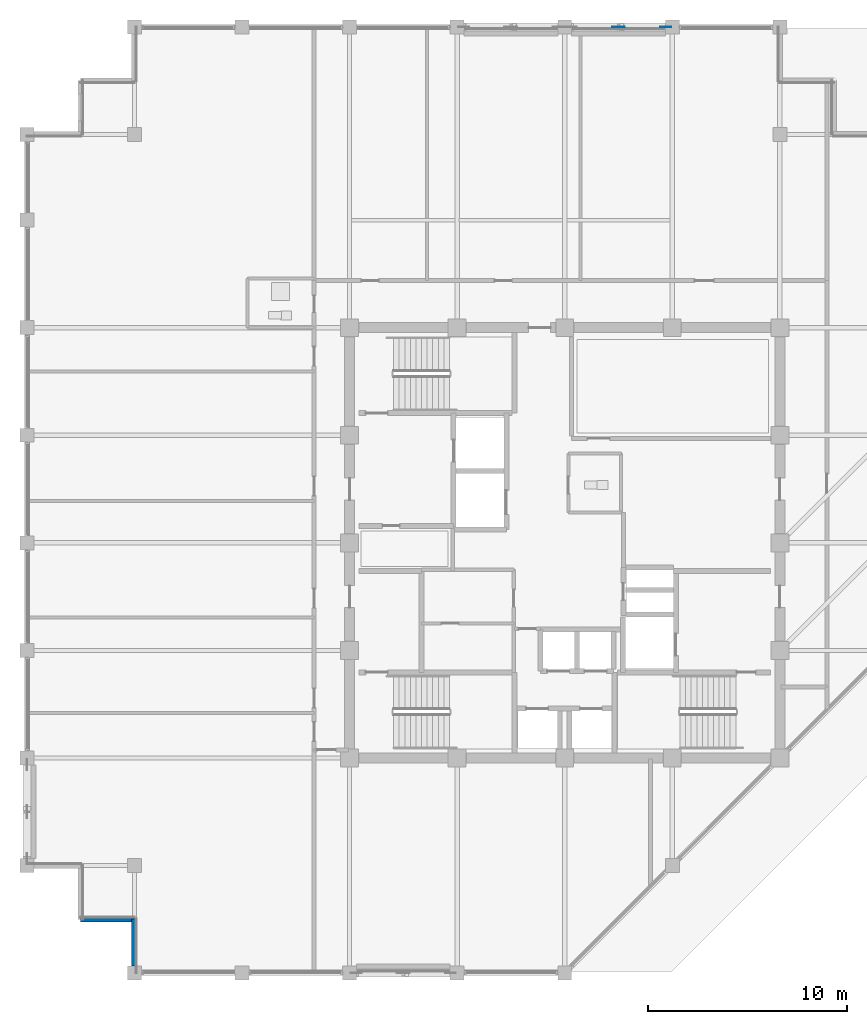
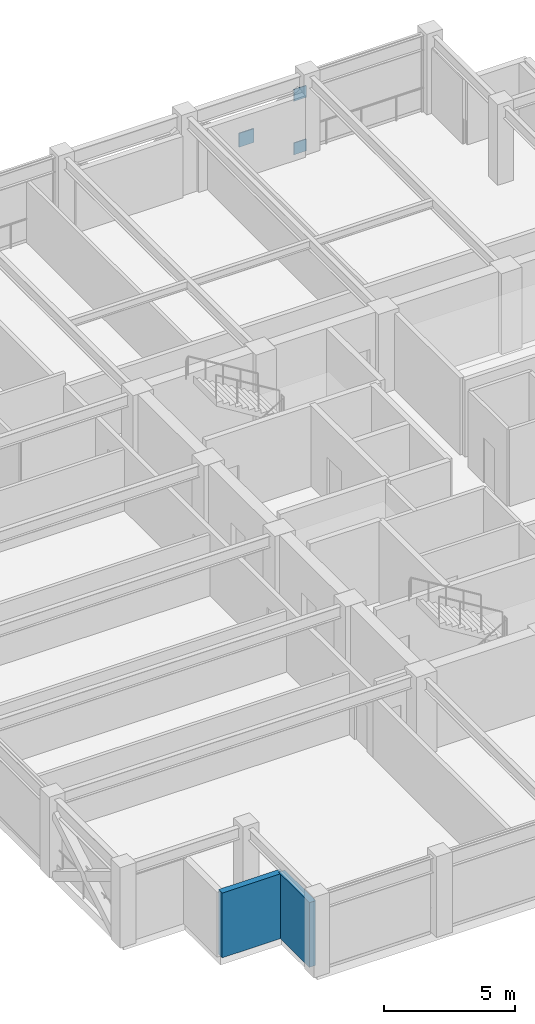
# One storey, part 25 of 34: 3 plates, 2 walls.
"""IFC4 building model written with IfcOpenShell, lengths in metres."""

from ifc_helpers import new_model, si_unit, direction, frame, frame_2d, origin, origin_2d, place, context, subcontext, project, spatial, rectangle, extrude, material, layer, layer_set, type_object, element, save


model = new_model("IFC4")

# Units and contexts
model_context = context("Model", 3, precision=1e-05, world=origin(), true_north=direction((0.0, 1.0)))
body_context = subcontext(model_context, "Body", "Model", "MODEL_VIEW")
ifc_project = project(units=[si_unit("LENGTHUNIT", "METRE"), si_unit("AREAUNIT", "SQUARE_METRE"), si_unit("VOLUMEUNIT", "CUBIC_METRE"), si_unit("PLANEANGLEUNIT", "RADIAN"), si_unit("MASSUNIT", "GRAM", prefix="KILO")], contexts=[model_context])

# Site, building, storey
site_placement = place(None, origin())
site = spatial("IfcSite", under=ifc_project, at=site_placement, CompositionType="ELEMENT")
building_placement = place(site_placement, origin())
building = spatial("IfcBuilding", under=site, at=building_placement, Name="Surkhivell Harbour Commons", CompositionType="ELEMENT")
storey_placement = place(building_placement, frame((0.0, 0.0, 258.75)))
storey = spatial("IfcBuildingStorey", under=building, at=storey_placement, Name="L67", CompositionType="ELEMENT", Elevation=258.75)

# Plates
ifc_material_1 = material(Name="Steel S460", Category="steel")
ifc_layer_1 = layer(ifc_material_1, 0.035888671875)
ifc_layer_set_1 = layer_set([ifc_layer_1], Name="Steel S460")
plate_type_1 = type_object("IfcPlateType", Name="PLT-GUS-550", PredefinedType="USERDEFINED", material=ifc_layer_set_1)
for number, where, z_axis, x_axis, name in (
    (1, (5.06494140625, 25.89990234375, -0.07470703125), (0.0, 0.0, 1.0), (1.0, 0.0, 0.0), "L67 Perimeter Mega-Brace MB- Corner Gusset N2-2"),
    (2, (5.06494140625, 25.89990234375, 2.41357421875), (0.0, 0.0, 1.0), (1.0, 0.0, 0.0), "L67 Perimeter Mega-Brace MB- Corner Gusset N2-4"),
):
    element("IfcPlate", number, at=place(storey_placement, frame(where, z_axis=z_axis, x_axis=x_axis)), inside=storey, type_object=plate_type_1, Name=name, ObjectType="GUSSET_PLATE", PredefinedType="USERDEFINED", context=body_context, shape_type="SweptSolid", body=[
        extrude(rectangle(XDim=0.550048828125, YDim=0.035888671875, at=origin_2d()), origin(), (0.0, 0.0, 1.0), 0.550048828125),
    ])
ifc_layer_2 = layer(ifc_material_1, 0.044921875)
ifc_layer_set_2 = layer_set([ifc_layer_2], Name="Steel S460")
plate_type_2 = type_object("IfcPlateType", Name="PLT-GUS-650", PredefinedType="USERDEFINED", material=ifc_layer_set_2)
plate_placement = place(storey_placement, frame((2.699951171875, 25.89990234375, 1.11962890625), z_axis=(0.0, 0.0, 1.0), x_axis=(1.0, 0.0, 0.0)))
element("IfcPlate", 3, at=plate_placement, inside=storey, type_object=plate_type_2, Name="L67 Perimeter Mega-Brace MB- Central Crossing Gusset N2", ObjectType="GUSSET_PLATE", PredefinedType="USERDEFINED", context=body_context, shape_type="SweptSolid", body=[
    extrude(rectangle(XDim=0.64990234375, YDim=0.044921875, at=origin_2d()), origin(), (0.0, 0.0, 1.0), 0.64990234375),
])

# Walls
ifc_material_2 = material(Name="Terracotta-clad reinforced concrete C45/55", Category="masonry")
ifc_layer_3 = layer(ifc_material_2, 0.280029296875)
ifc_layer_set_3 = layer_set([ifc_layer_3], Name="Terracotta-clad reinforced concrete C45/55")
wall_type = type_object("IfcWallType", Name="WAL-EXT-TER280", PredefinedType="STANDARD", material=ifc_layer_set_3)
wall_1_placement = place(storey_placement, frame((-24.300048828125, -18.89990234375, 0.0), z_axis=(0.0, 0.0, 1.0), x_axis=(1.0, 0.0, 0.0)))
element("IfcWall", 4, at=wall_1_placement, inside=storey, type_object=wall_type, Name="L67 Serrated Corner Facade Wall 15", PredefinedType="STANDARD", context=body_context, shape_type="SweptSolid", body=[
    extrude(rectangle(XDim=2.699951171875, YDim=0.280029296875, at=frame_2d((1.35009765625, 0.0))), origin(), (0.0, 0.0, 1.0), 3.012939453125),
])
wall_2_placement = place(storey_placement, frame((-21.60009765625, -18.89990234375, 0.0), z_axis=(0.0, 0.0, 1.0), x_axis=(0.0, -1.0, 0.0)))
element("IfcWall", 5, at=wall_2_placement, inside=storey, type_object=wall_type, Name="L67 Serrated Corner Facade Wall 16", PredefinedType="STANDARD", context=body_context, shape_type="SweptSolid", body=[
    extrude(rectangle(XDim=2.35205078125, YDim=0.280029296875, at=frame_2d((1.176025390625, 0.0))), origin(), (0.0, 0.0, 1.0), 3.012939453125),
])

save(model, "model.ifc")
